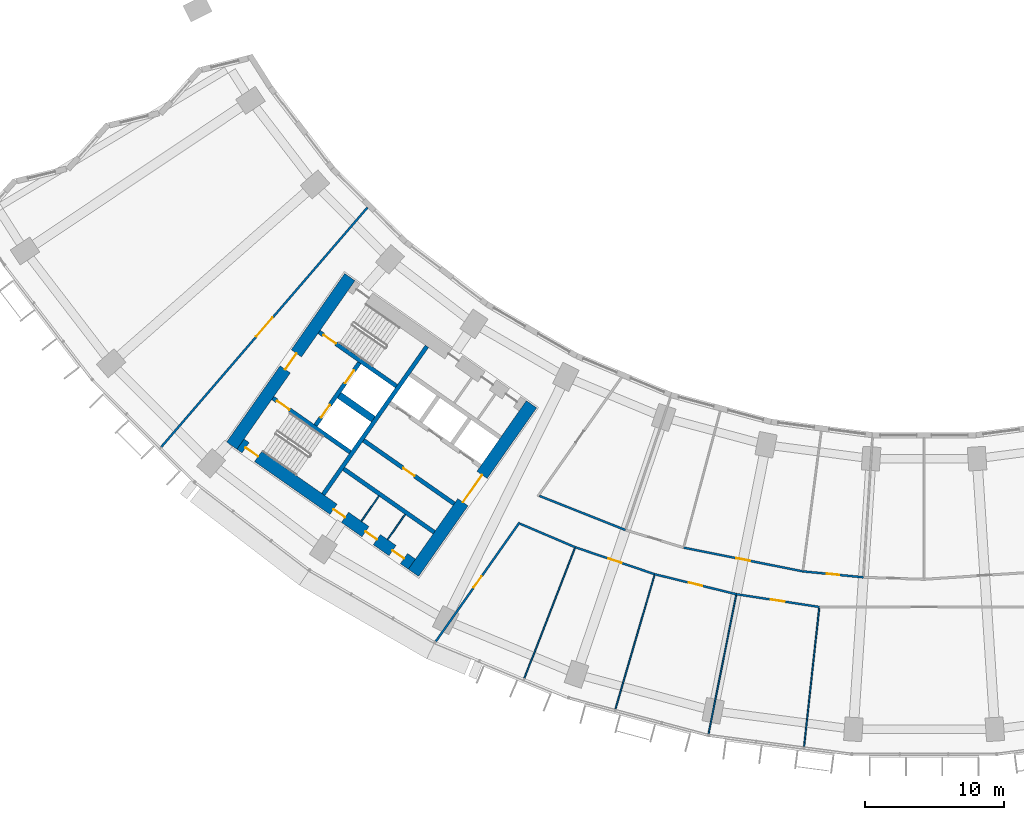
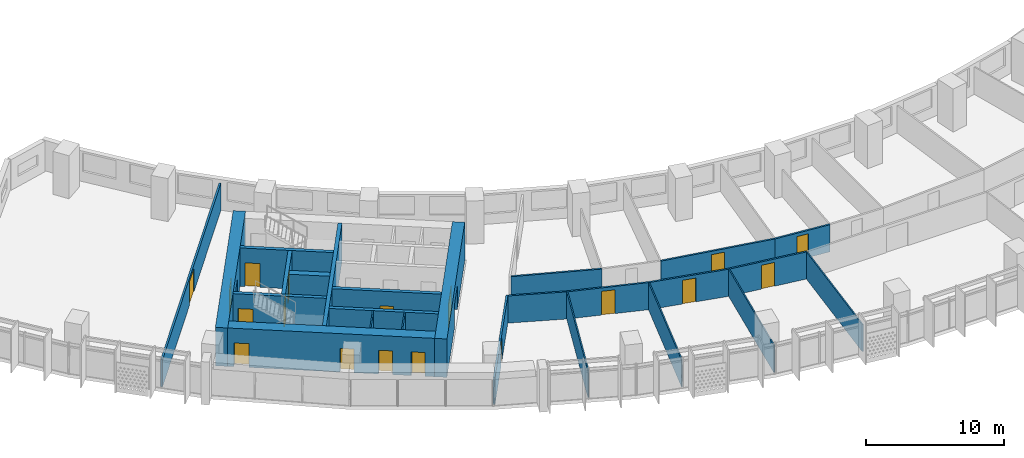
# One storey, part 3 of 31: 25 walls, 18 doors, 18 openings.
"""IFC4 building model written with IfcOpenShell, lengths in metres."""

import ifcopenshell
import ifcopenshell.guid

model = None  # the IFC model being written
_history = None  # IfcOwnerHistory: only IFC2X3 demands one
_inside = {}  # id of a spatial element -> (the spatial element, [elements in it])
_under = {}  # id of a project, library or spatial element -> (it, [spatial elements below it])
_declared = {}  # id of a project -> (the project, [libraries it declares])
_typed = {}  # id of a type object -> (the type object, [elements of that type])
_made_of = {}  # id of a material, layer set ... -> (it, [elements and type objects made of it])


def new_model(schema):
    """Start an empty IFC model of exactly this schema.

    Asked for "IFC4X3", IfcOpenShell would pick the latest addendum, in which some entities
    have other attributes; the version numbers below select the first issue.
    IFC2X3 requires an IfcOwnerHistory on every rooted entity: one is made here for all.
    """
    global model, _history
    if schema == "IFC4X3":
        model = ifcopenshell.file(schema_version=(4, 3, 0, 0))
    else:
        model = ifcopenshell.file(schema=schema)
    _inside.clear()
    _under.clear()
    _declared.clear()
    _typed.clear()
    _made_of.clear()
    _history = None
    if model.schema == "IFC2X3":
        org = make("IfcOrganization", Name="unknown")
        user = make(
            "IfcPersonAndOrganization",
            ThePerson=make("IfcPerson", FamilyName="unknown"),
            TheOrganization=org,
        )
        app = make(
            "IfcApplication",
            ApplicationDeveloper=org,
            Version="unknown",
            ApplicationFullName="unknown",
            ApplicationIdentifier="unknown",
        )
        _history = make(
            "IfcOwnerHistory",
            OwningUser=user,
            OwningApplication=app,
            ChangeAction="ADDED",
            CreationDate=0,
        )
    return model


def make(cls, **values):
    """One entity of the class cls with the attributes given. An attribute that is None is left unset."""
    return model.create_entity(
        cls, **{name: value for name, value in values.items() if value is not None}
    )


def rooted(cls, **values):
    """An entity with a GlobalId (a new one), such as an element, a storey or a relation."""
    return make(cls, GlobalId=ifcopenshell.guid.new(), OwnerHistory=_history, **values)


def si_unit(unit_type, name, prefix=None):
    """IfcSIUnit, for example si_unit("LENGTHUNIT", "METRE", prefix="MILLI")."""
    return make("IfcSIUnit", UnitType=unit_type, Prefix=prefix, Name=name)


def assignment(units):
    """IfcUnitAssignment: the units of a project."""
    return None if units is None else make("IfcUnitAssignment", Units=units)


def point(xyz):
    """IfcCartesianPoint."""
    return None if xyz is None else make("IfcCartesianPoint", Coordinates=xyz)


def direction(xyz):
    """IfcDirection."""
    return None if xyz is None else make("IfcDirection", DirectionRatios=xyz)


def frame(location, z_axis=None, x_axis=None):
    """IfcAxis2Placement3D, a coordinate frame: its origin and axes. An axis left out is left unset."""
    return make(
        "IfcAxis2Placement3D",
        Location=point(location),
        Axis=direction(z_axis),
        RefDirection=direction(x_axis),
    )


def frame_2d(location, x_axis=None):
    """IfcAxis2Placement2D, a coordinate frame in the plane: its origin and x axis."""
    return make(
        "IfcAxis2Placement2D", Location=point(location), RefDirection=direction(x_axis)
    )


def origin():
    """The frame at (0, 0, 0) with its axes left unset."""
    return frame((0.0, 0.0, 0.0))


def place(relative_to, where):
    """IfcLocalPlacement: puts the frame where relative to a parent placement (None: the world)."""
    return make(
        "IfcLocalPlacement", PlacementRelTo=relative_to, RelativePlacement=where
    )


def context(
    kind, dimensions, precision=None, world=None, true_north=None, identifier=None
):
    """IfcGeometricRepresentationContext, for example the 3D "Model" context."""
    return make(
        "IfcGeometricRepresentationContext",
        ContextIdentifier=identifier,
        ContextType=kind,
        CoordinateSpaceDimension=dimensions,
        Precision=precision,
        WorldCoordinateSystem=world,
        TrueNorth=true_north,
    )


def subcontext(parent, identifier, kind, view, scale=None):
    """IfcGeometricRepresentationSubContext, for example "Body" below "Model"."""
    return make(
        "IfcGeometricRepresentationSubContext",
        ContextIdentifier=identifier,
        ContextType=kind,
        ParentContext=parent,
        TargetScale=scale,
        TargetView=view,
    )


def project(units=None, contexts=None):
    """IfcProject with its units and contexts."""
    return rooted(
        "IfcProject",
        Name="project",
        RepresentationContexts=contexts,
        UnitsInContext=assignment(units),
    )


def spatial(cls, under=None, at=None, **own):
    """A site, building, storey or space (cls), placed at a placement, below another one or the project."""
    s = rooted(cls, ObjectPlacement=at, **own)
    if under is not None:
        _under.setdefault(under.id(), (under, []))[1].append(s)
    return s


def profile(cls, at=None, kind="AREA", **sizes):
    """A parametric profile (cls). Its sizes go by their IFC names, for example OverallWidth=200.0."""
    return make(cls, ProfileType=kind, Position=at, **sizes)


def rectangle(**sizes):
    """IfcRectangleProfileDef."""
    return profile("IfcRectangleProfileDef", **sizes)


def extrude(swept, where, along, depth):
    """IfcExtrudedAreaSolid: the profile swept, set in the frame where, extruded along a direction by depth."""
    return make(
        "IfcExtrudedAreaSolid",
        SweptArea=swept,
        Position=where,
        ExtrudedDirection=direction(along),
        Depth=depth,
    )


def shape(context_of_items, identifier, shape_type, items):
    """IfcShapeRepresentation: the items that make up one representation, for example the "Body"."""
    return make(
        "IfcShapeRepresentation",
        ContextOfItems=context_of_items,
        RepresentationIdentifier=identifier,
        RepresentationType=shape_type,
        Items=items,
    )


def material(Name=None, Category=None):
    """IfcMaterial."""
    return make("IfcMaterial", Name=Name, Category=Category)


def layer(
    of_material, thickness, ventilated=None, Name=None, Category=None, Priority=None
):
    """IfcMaterialLayer: one layer of a wall or slab, of a material (None: an air gap)."""
    return make(
        "IfcMaterialLayer",
        Material=of_material,
        LayerThickness=thickness,
        IsVentilated=ventilated,
        Name=Name,
        Category=Category,
        Priority=Priority,
    )


def layer_set(layers, Name=None):
    """IfcMaterialLayerSet."""
    return make("IfcMaterialLayerSet", MaterialLayers=layers, LayerSetName=Name)


def made_of(thing, what):
    """Note that an element or type object is made of a material, layer set ...; save() writes the relation."""
    if what is not None:
        _made_of.setdefault(what.id(), (what, []))[1].append(thing)
    return thing


def type_object(cls, material=None, **own):
    """A type object (cls), such as IfcWallType, which elements share."""
    return made_of(rooted(cls, **own), material)


def element(
    cls,
    number,
    at=None,
    inside=None,
    cuts=None,
    type_object=None,
    material=None,
    context=None,
    identifier="Body",
    shape_type=None,
    held_by="IfcProductDefinitionShape",
    body=None,
    shapes=None,
    **own,
):
    """One element of the class cls, such as IfcWall. Its Tag is "e" and its number.

    at: its placement. inside: the storey or other place that contains it. cuts: it is an
    opening in that element (IfcRelVoidsElement). A single representation is given by context,
    identifier, shape_type and body (its items); several are given by shapes. held_by: the class
    of the entity that holds the representations. save() writes the other relations.
    """
    e = rooted(cls, Tag="e%d" % number, ObjectPlacement=at, **own)
    if body is not None:
        shapes = [shape(context, identifier, shape_type, body)]
    if shapes is not None:
        e.Representation = make(held_by, Representations=shapes)
    if inside is not None:
        _inside.setdefault(inside.id(), (inside, []))[1].append(e)
    if cuts is not None:
        rooted(
            "IfcRelVoidsElement", RelatingBuildingElement=cuts, RelatedOpeningElement=e
        )
    if type_object is not None:
        _typed.setdefault(type_object.id(), (type_object, []))[1].append(e)
    return made_of(e, material)


def fill(opening, filler):
    """IfcRelFillsElement: the door or window that sits in an opening."""
    return rooted(
        "IfcRelFillsElement",
        RelatingOpeningElement=opening,
        RelatedBuildingElement=filler,
    )


def aggregate(whole, parts):
    """IfcRelAggregates: a whole, such as a stair, and the parts it consists of."""
    return rooted("IfcRelAggregates", RelatingObject=whole, RelatedObjects=parts)


def save(model, path):
    """Write the relations noted so far, then the file.

    IfcRelAggregates (storeys below a building ...), IfcRelContainedInSpatialStructure (elements
    in a storey), IfcRelDefinesByType, IfcRelAssociatesMaterial and IfcRelDeclares: one each for
    every whole, place, type object, material and project.
    """
    for whole, parts in _under.values():
        aggregate(whole, parts)
    for where, things in _inside.values():
        rooted(
            "IfcRelContainedInSpatialStructure",
            RelatedElements=things,
            RelatingStructure=where,
        )
    for kind, things in _typed.values():
        rooted("IfcRelDefinesByType", RelatedObjects=things, RelatingType=kind)
    for what, things in _made_of.values():
        rooted("IfcRelAssociatesMaterial", RelatedObjects=things, RelatingMaterial=what)
    for by, libraries in _declared.values():
        rooted("IfcRelDeclares", RelatingContext=by, RelatedDefinitions=libraries)
    model.write(path)


model = new_model("IFC4")

# Units and contexts
model_context = context("Model", 3, precision=1e-05, world=origin(), true_north=direction((0.0, 1.0)))
body_context = subcontext(model_context, "Body", "Model", "MODEL_VIEW")
ifc_project = project(units=[si_unit("LENGTHUNIT", "METRE"), si_unit("AREAUNIT", "SQUARE_METRE"), si_unit("VOLUMEUNIT", "CUBIC_METRE"), si_unit("PLANEANGLEUNIT", "RADIAN"), si_unit("MASSUNIT", "GRAM", prefix="KILO")], contexts=[model_context])

# Site, building, storey
site_placement = place(None, origin())
site = spatial("IfcSite", under=ifc_project, at=site_placement, CompositionType="ELEMENT")
building_placement = place(site_placement, origin())
building = spatial("IfcBuilding", under=site, at=building_placement, Name="Qamariyya Broadcast Tower", CompositionType="ELEMENT")
storey_placement = place(building_placement, frame((0.0, 0.0, 86.10009765625)))
storey = spatial("IfcBuildingStorey", under=building, at=storey_placement, Name="L18", CompositionType="ELEMENT", Elevation=86.10009765625)

# Wall, opening, door
ifc_material_1 = material(Name="Concrete C70/85", Category="concrete")
ifc_layer_1 = layer(ifc_material_1, 0.89990234375)
ifc_layer_set_1 = layer_set([ifc_layer_1], Name="Core wall 900 mm Concrete C70/85")
wall_type_1 = type_object("IfcWallType", Name="Core wall 900 mm Concrete C70/85", PredefinedType="SHEAR", material=ifc_layer_set_1)
wall_1_placement = place(storey_placement, frame((-36.716796875, -66.3369140625, 0.0), z_axis=(0.0, 0.0, 1.0), x_axis=(0.573577477574, 0.819151315216, 0.0)))
wall_1 = element("IfcWall", 1, at=wall_1_placement, inside=storey, type_object=wall_type_1, Name="k-W-L18-WA", PredefinedType="SHEAR", context=body_context, shape_type="SweptSolid", body=[
    extrude(rectangle(XDim=14.800048828125, YDim=0.89990234375, at=frame_2d((7.39990234375, 0.0))), origin(), (0.0, 0.0, 1.0), 3.39990234375),
])
opening_1_placement = place(wall_1_placement, frame((6.199951171875, 0.0, 0.0)))
opening_1 = element("IfcOpeningElement", 2, at=opening_1_placement, cuts=wall_1, Name="Opening KD3-W1", PredefinedType="OPENING", context=body_context, shape_type="SweptSolid", body=[
    extrude(rectangle(XDim=2.39990234375, YDim=2.10009765625, at=frame_2d((1.199951171875, 1.050048828125))), frame((0.0, 0.4599609375, 0.0), z_axis=(0.0, -1.0, 0.0), x_axis=(1.0, 0.0, 0.0)), (0.0, 0.0, 1.0), 0.919921875),
])
ifc_material_2 = material(Name="Steel fire-resisting door leaf", Category="steel")
door_type_1 = type_object("IfcDoorType", Name="Lift lobby door KD3", OperationType="DOUBLE_DOOR_SINGLE_SWING", PredefinedType="DOOR", material=ifc_material_2)
door_1_placement = place(opening_1_placement, origin())
door_1 = element("IfcDoor", 3, at=door_1_placement, inside=storey, type_object=door_type_1, Name="k-W-L18-WA-D1", OperationType="DOUBLE_DOOR_SINGLE_SWING", OverallHeight=2.10009765625, OverallWidth=2.39990234375, PredefinedType="DOOR", context=body_context, shape_type="SweptSolid", body=[
    extrude(rectangle(XDim=2.39990234375, YDim=2.10009765625, at=frame_2d((1.199951171875, 1.050048828125))), frame((0.0, 0.02490234375, 0.0), z_axis=(0.0, -1.0, 0.0), x_axis=(1.0, 0.0, 0.0)), (0.0, 0.0, 1.0), 0.050048828125),
])
fill(opening_1, door_1)

wall_2_placement = place(storey_placement, frame((-49.778564453125, -57.191162109375, 0.0), z_axis=(0.0, 0.0, 1.0), x_axis=(0.573577477574, 0.819151315216, 0.0)))
wall_2 = element("IfcWall", 4, at=wall_2_placement, inside=storey, type_object=wall_type_1, Name="k-W-L18-WH", PredefinedType="SHEAR", context=body_context, shape_type="SweptSolid", body=[
    extrude(rectangle(XDim=14.800048828125, YDim=0.89990234375, at=frame_2d((7.39990234375, 0.0))), origin(), (0.0, 0.0, 1.0), 3.39990234375),
])
opening_2_placement = place(wall_2_placement, frame((6.699951171875, 0.0, 0.0)))
opening_2 = element("IfcOpeningElement", 5, at=opening_2_placement, cuts=wall_2, Name="Opening KD2-W1", PredefinedType="OPENING", context=body_context, shape_type="SweptSolid", body=[
    extrude(rectangle(XDim=1.39990234375, YDim=2.10009765625, at=frame_2d((0.699951171875, 1.050048828125))), frame((0.0, 0.4599609375, 0.0), z_axis=(0.0, -1.0, 0.0), x_axis=(1.0, 0.0, 0.0)), (0.0, 0.0, 1.0), 0.919921875),
])
door_type_2 = type_object("IfcDoorType", Name="Fire-fighting lobby door KD2", OperationType="DOUBLE_DOOR_SINGLE_SWING", PredefinedType="DOOR", material=ifc_material_2)
door_2_placement = place(opening_2_placement, origin())
door_2 = element("IfcDoor", 6, at=door_2_placement, inside=storey, type_object=door_type_2, Name="k-W-L18-WH-D14", OperationType="DOUBLE_DOOR_SINGLE_SWING", OverallHeight=2.10009765625, OverallWidth=1.39990234375, PredefinedType="DOOR", context=body_context, shape_type="SweptSolid", body=[
    extrude(rectangle(XDim=1.39990234375, YDim=2.10009765625, at=frame_2d((0.699951171875, 1.050048828125))), frame((0.0, 0.02490234375, 0.0), z_axis=(0.0, -1.0, 0.0), x_axis=(1.0, 0.0, 0.0)), (0.0, 0.0, 1.0), 0.050048828125),
])
fill(opening_2, door_2)

# Wall, openings, doors
wall_3_placement = place(storey_placement, frame((-36.827392578125, -65.710205078125, 0.0), z_axis=(0.0, 0.0, 1.0), x_axis=(-0.819153391756, 0.573574511963, 0.0)))
wall_3 = element("IfcWall", 7, at=wall_3_placement, inside=storey, type_object=wall_type_1, Name="k-W-L18-WO", PredefinedType="SHEAR", context=body_context, shape_type="SweptSolid", body=[
    extrude(rectangle(XDim=15.04541015625, YDim=0.89990234375, at=frame_2d((7.522705078125, 0.0))), origin(), (0.0, 0.0, 1.0), 3.39990234375),
])
opening_3_placement = place(wall_3_placement, frame((0.699951171875, 0.0, 0.0)))
opening_3 = element("IfcOpeningElement", 8, at=opening_3_placement, cuts=wall_3, Name="Opening KD6-W3", PredefinedType="OPENING", context=body_context, shape_type="SweptSolid", body=[
    extrude(rectangle(XDim=1.0, YDim=2.10009765625, at=frame_2d((0.5, 1.050048828125))), frame((0.0, 0.4599609375, 0.0), z_axis=(0.0, -1.0, 0.0), x_axis=(1.0, 0.0, 0.0)), (0.0, 0.0, 1.0), 0.919921875),
])
opening_4_placement = place(wall_3_placement, frame((3.074951171875, 0.0, 0.0)))
opening_4 = element("IfcOpeningElement", 9, at=opening_4_placement, cuts=wall_3, Name="Opening KD4-W1", PredefinedType="OPENING", context=body_context, shape_type="SweptSolid", body=[
    extrude(rectangle(XDim=1.0, YDim=2.10009765625, at=frame_2d((0.5, 1.050048828125))), frame((0.0, 0.4599609375, 0.0), z_axis=(0.0, -1.0, 0.0), x_axis=(1.0, 0.0, 0.0)), (0.0, 0.0, 1.0), 0.919921875),
])
opening_5_placement = place(wall_3_placement, frame((5.875, 0.0, 0.0)))
opening_5 = element("IfcOpeningElement", 10, at=opening_5_placement, cuts=wall_3, Name="Opening KD4-W2", PredefinedType="OPENING", context=body_context, shape_type="SweptSolid", body=[
    extrude(rectangle(XDim=1.0, YDim=2.10009765625, at=frame_2d((0.5, 1.050048828125))), frame((0.0, 0.4599609375, 0.0), z_axis=(0.0, -1.0, 0.0), x_axis=(1.0, 0.0, 0.0)), (0.0, 0.0, 1.0), 0.919921875),
])
opening_6_placement = place(wall_3_placement, frame((13.495361328125, 0.0, 0.0)))
opening_6 = element("IfcOpeningElement", 11, at=opening_6_placement, cuts=wall_3, Name="Opening KD1-W3", PredefinedType="OPENING", context=body_context, shape_type="SweptSolid", body=[
    extrude(rectangle(XDim=1.10009765625, YDim=2.10009765625, at=frame_2d((0.550048828125, 1.050048828125))), frame((0.0, 0.4599609375, 0.0), z_axis=(0.0, -1.0, 0.0), x_axis=(1.0, 0.0, 0.0)), (0.0, 0.0, 1.0), 0.919921875),
])
door_type_3 = type_object("IfcDoorType", Name="Core room door KD6", OperationType="SINGLE_SWING_LEFT", PredefinedType="DOOR", material=ifc_material_2)
door_3_placement = place(opening_3_placement, origin())
door_3 = element("IfcDoor", 12, at=door_3_placement, inside=storey, type_object=door_type_3, Name="k-W-L18-WO-D9", OperationType="SINGLE_SWING_RIGHT", OverallHeight=2.10009765625, OverallWidth=1.0, PredefinedType="DOOR", context=body_context, shape_type="SweptSolid", body=[
    extrude(rectangle(XDim=1.0, YDim=2.10009765625, at=frame_2d((0.5, 1.050048828125))), frame((0.0, 0.02490234375, 0.0), z_axis=(0.0, -1.0, 0.0), x_axis=(1.0, 0.0, 0.0)), (0.0, 0.0, 1.0), 0.050048828125),
])
fill(opening_3, door_3)
door_type_4 = type_object("IfcDoorType", Name="Riser and plant door KD4", OperationType="SINGLE_SWING_LEFT", PredefinedType="DOOR", material=ifc_material_2)
door_4_placement = place(opening_4_placement, origin())
door_4 = element("IfcDoor", 13, at=door_4_placement, inside=storey, type_object=door_type_4, Name="k-W-L18-WO-D10", OperationType="SINGLE_SWING_LEFT", OverallHeight=2.10009765625, OverallWidth=1.0, PredefinedType="DOOR", context=body_context, shape_type="SweptSolid", body=[
    extrude(rectangle(XDim=1.0, YDim=2.10009765625, at=frame_2d((0.5, 1.050048828125))), frame((0.0, 0.02490234375, 0.0), z_axis=(0.0, -1.0, 0.0), x_axis=(1.0, 0.0, 0.0)), (0.0, 0.0, 1.0), 0.050048828125),
])
fill(opening_4, door_4)
door_5_placement = place(opening_5_placement, origin())
door_5 = element("IfcDoor", 14, at=door_5_placement, inside=storey, type_object=door_type_4, Name="k-W-L18-WO-D11", OperationType="SINGLE_SWING_RIGHT", OverallHeight=2.10009765625, OverallWidth=1.0, PredefinedType="DOOR", context=body_context, shape_type="SweptSolid", body=[
    extrude(rectangle(XDim=1.0, YDim=2.10009765625, at=frame_2d((0.5, 1.050048828125))), frame((0.0, 0.02490234375, 0.0), z_axis=(0.0, -1.0, 0.0), x_axis=(1.0, 0.0, 0.0)), (0.0, 0.0, 1.0), 0.050048828125),
])
fill(opening_5, door_5)
door_type_5 = type_object("IfcDoorType", Name="Stair door KD1", OperationType="SINGLE_SWING_LEFT", PredefinedType="DOOR", material=ifc_material_2)
door_6_placement = place(opening_6_placement, origin())
door_6 = element("IfcDoor", 15, at=door_6_placement, inside=storey, type_object=door_type_5, Name="k-W-L18-WO-D17", OperationType="SINGLE_SWING_LEFT", OverallHeight=2.10009765625, OverallWidth=1.10009765625, PredefinedType="DOOR", context=body_context, shape_type="SweptSolid", body=[
    extrude(rectangle(XDim=1.10009765625, YDim=2.10009765625, at=frame_2d((0.550048828125, 1.050048828125))), frame((0.0, 0.02490234375, 0.0), z_axis=(0.0, -1.0, 0.0), x_axis=(1.0, 0.0, 0.0)), (0.0, 0.0, 1.0), 0.050048828125),
])
fill(opening_6, door_6)

# Wall, opening, door
ifc_material_3 = material(Name="Gypsum board partition")
ifc_layer_2 = layer(ifc_material_3, 0.14990234375)
ifc_layer_set_2 = layer_set([ifc_layer_2], Name="Corridor partition 150 EI 60")
wall_type_2 = type_object("IfcWallType", Name="Corridor partition 150 EI 60", PredefinedType="PARTITIONING", material=ifc_layer_set_2)
wall_4_placement = place(storey_placement, frame((-54.842041015625, -57.27685546875, 0.0), z_axis=(0.0, 0.0, 1.0), x_axis=(0.652471531746, 0.757813235739, 0.0)))
wall_4 = element("IfcWall", 16, at=wall_4_placement, inside=storey, type_object=wall_type_2, Name="Partition L18-001", PredefinedType="PARTITIONING", context=body_context, shape_type="SweptSolid", body=[
    extrude(rectangle(XDim=22.71484375, YDim=0.14990234375, at=frame_2d((11.357421875, 0.0))), origin(), (0.0, 0.0, 1.0), 2.39990234375),
])
opening_7_placement = place(wall_4_placement, frame((10.45751953125, 0.0, 0.0)))
opening_7 = element("IfcOpeningElement", 17, at=opening_7_placement, cuts=wall_4, Name="Opening L18-D17", PredefinedType="OPENING", context=body_context, shape_type="SweptSolid", body=[
    extrude(rectangle(XDim=1.800048828125, YDim=2.10009765625, at=frame_2d((0.89990234375, 1.050048828125))), frame((0.0, 0.0849609375, 0.0), z_axis=(0.0, -1.0, 0.0), x_axis=(1.0, 0.0, 0.0)), (0.0, 0.0, 1.0), 0.169921875),
])
ifc_material_4 = material(Name="Timber fire door leaf", Category="wood")
door_type_6 = type_object("IfcDoorType", Name="Double fire door 1800 x 2100 FD60", OperationType="NOTDEFINED", PredefinedType="DOOR", material=ifc_material_4)
door_7_placement = place(opening_7_placement, origin())
door_7 = element("IfcDoor", 18, at=door_7_placement, inside=storey, type_object=door_type_6, Name="Door L18-D17", OperationType="DOUBLE_DOOR_SINGLE_SWING", OverallHeight=2.10009765625, OverallWidth=1.800048828125, PredefinedType="DOOR", context=body_context, shape_type="SweptSolid", body=[
    extrude(rectangle(XDim=1.800048828125, YDim=2.10009765625, at=frame_2d((0.89990234375, 1.050048828125))), frame((0.0, 0.02490234375, 0.0), z_axis=(0.0, -1.0, 0.0), x_axis=(1.0, 0.0, 0.0)), (0.0, 0.0, 1.0), 0.050048828125),
])
fill(opening_7, door_7)

wall_5_placement = place(storey_placement, frame((-29.087890625, -62.708251953125, 0.0), z_axis=(0.0, 0.0, 1.0), x_axis=(-0.575411972256, -0.817863718589, 0.0)))
wall_5 = element("IfcWall", 19, at=wall_5_placement, inside=storey, type_object=wall_type_2, Name="Partition L18-002", PredefinedType="PARTITIONING", context=body_context, shape_type="SweptSolid", body=[
    extrude(rectangle(XDim=10.471435546875, YDim=0.14990234375, at=frame_2d((5.23583984375, 0.0))), origin(), (0.0, 0.0, 1.0), 2.39990234375),
])
opening_8_placement = place(wall_5_placement, frame((4.735595703125, 0.0, 0.0)))
opening_8 = element("IfcOpeningElement", 20, at=opening_8_placement, cuts=wall_5, Name="Opening L18-D01", PredefinedType="OPENING", context=body_context, shape_type="SweptSolid", body=[
    extrude(rectangle(XDim=1.0, YDim=2.10009765625, at=frame_2d((0.5, 1.050048828125))), frame((0.0, 0.0849609375, 0.0), z_axis=(0.0, -1.0, 0.0), x_axis=(1.0, 0.0, 0.0)), (0.0, 0.0, 1.0), 0.169921875),
])
door_type_7 = type_object("IfcDoorType", Name="Fire door 1000 x 2100 FD60", OperationType="NOTDEFINED", PredefinedType="DOOR", material=ifc_material_4)
door_8_placement = place(opening_8_placement, origin())
door_8 = element("IfcDoor", 21, at=door_8_placement, inside=storey, type_object=door_type_7, Name="Door L18-D01", OperationType="SINGLE_SWING_RIGHT", OverallHeight=2.10009765625, OverallWidth=1.0, PredefinedType="DOOR", context=body_context, shape_type="SweptSolid", body=[
    extrude(rectangle(XDim=1.0, YDim=2.10009765625, at=frame_2d((0.5, 1.050048828125))), frame((0.0, 0.02490234375, 0.0), z_axis=(0.0, -1.0, 0.0), x_axis=(1.0, 0.0, 0.0)), (0.0, 0.0, 1.0), 0.050048828125),
])
fill(opening_8, door_8)

# Walls
wall_6_placement = place(storey_placement, frame((-29.06201171875, -62.799072265625, 0.0), z_axis=(0.0, 0.0, 1.0), x_axis=(0.920023602502, -0.391862949052, 0.0)))
element("IfcWall", 22, at=wall_6_placement, inside=storey, type_object=wall_type_2, Name="Partition L18-003", PredefinedType="PARTITIONING", context=body_context, shape_type="SweptSolid", body=[
    extrude(rectangle(XDim=4.329345703125, YDim=0.14990234375, at=frame_2d((2.16455078125, 0.0))), origin(), (0.0, 0.0, 1.0), 2.39990234375),
])
wall_7_placement = place(storey_placement, frame((-27.6572265625, -60.801513671875, 0.0), z_axis=(0.0, 0.0, 1.0), x_axis=(0.929543215203, -0.368713182663, 0.0)))
element("IfcWall", 23, at=wall_7_placement, inside=storey, type_object=wall_type_2, Name="Partition L18-005", PredefinedType="PARTITIONING", context=body_context, shape_type="SweptSolid", body=[
    extrude(rectangle(XDim=6.65380859375, YDim=0.14990234375, at=frame_2d((3.326904296875, 0.0))), origin(), (0.0, 0.0, 1.0), 2.39990234375),
])

# Wall, opening, door
wall_8_placement = place(storey_placement, frame((-19.365966796875, -66.434814453125, 0.0), z_axis=(0.0, 0.0, 1.0), x_axis=(-0.94693295825, 0.321431131939, 0.0)))
wall_8 = element("IfcWall", 24, at=wall_8_placement, inside=storey, type_object=wall_type_2, Name="Partition L18-006", PredefinedType="PARTITIONING", context=body_context, shape_type="SweptSolid", body=[
    extrude(rectangle(XDim=6.032958984375, YDim=0.14990234375, at=frame_2d((3.0166015625, 0.0))), origin(), (0.0, 0.0, 1.0), 2.39990234375),
])
opening_9_placement = place(wall_8_placement, frame((2.5166015625, 0.0, 0.0)))
opening_9 = element("IfcOpeningElement", 25, at=opening_9_placement, cuts=wall_8, Name="Opening L18-D02", PredefinedType="OPENING", context=body_context, shape_type="SweptSolid", body=[
    extrude(rectangle(XDim=1.0, YDim=2.10009765625, at=frame_2d((0.5, 1.050048828125))), frame((0.0, 0.0849609375, 0.0), z_axis=(0.0, -1.0, 0.0), x_axis=(1.0, 0.0, 0.0)), (0.0, 0.0, 1.0), 0.169921875),
])
door_9_placement = place(opening_9_placement, origin())
door_9 = element("IfcDoor", 26, at=door_9_placement, inside=storey, type_object=door_type_7, Name="Door L18-D02", OperationType="SINGLE_SWING_RIGHT", OverallHeight=2.10009765625, OverallWidth=1.0, PredefinedType="DOOR", context=body_context, shape_type="SweptSolid", body=[
    extrude(rectangle(XDim=1.0, YDim=2.10009765625, at=frame_2d((0.5, 1.050048828125))), frame((0.0, 0.02490234375, 0.0), z_axis=(0.0, -1.0, 0.0), x_axis=(1.0, 0.0, 0.0)), (0.0, 0.0, 1.0), 0.050048828125),
])
fill(opening_9, door_9)

wall_9_placement = place(storey_placement, frame((-13.500244140625, -67.870361328125, 0.0), z_axis=(0.0, 0.0, 1.0), x_axis=(-0.971333900191, 0.237719276331, 0.0)))
wall_9 = element("IfcWall", 27, at=wall_9_placement, inside=storey, type_object=wall_type_2, Name="Partition L18-010", PredefinedType="PARTITIONING", context=body_context, shape_type="SweptSolid", body=[
    extrude(rectangle(XDim=6.038818359375, YDim=0.14990234375, at=frame_2d((3.01953125, 0.0))), origin(), (0.0, 0.0, 1.0), 2.39990234375),
])
opening_10_placement = place(wall_9_placement, frame((2.51953125, 0.0, 0.0)))
opening_10 = element("IfcOpeningElement", 28, at=opening_10_placement, cuts=wall_9, Name="Opening L18-D03", PredefinedType="OPENING", context=body_context, shape_type="SweptSolid", body=[
    extrude(rectangle(XDim=1.0, YDim=2.10009765625, at=frame_2d((0.5, 1.050048828125))), frame((0.0, 0.0849609375, 0.0), z_axis=(0.0, -1.0, 0.0), x_axis=(1.0, 0.0, 0.0)), (0.0, 0.0, 1.0), 0.169921875),
])
door_10_placement = place(opening_10_placement, origin())
door_10 = element("IfcDoor", 29, at=door_10_placement, inside=storey, type_object=door_type_7, Name="Door L18-D03", OperationType="SINGLE_SWING_RIGHT", OverallHeight=2.10009765625, OverallWidth=1.0, PredefinedType="DOOR", context=body_context, shape_type="SweptSolid", body=[
    extrude(rectangle(XDim=1.0, YDim=2.10009765625, at=frame_2d((0.5, 1.050048828125))), frame((0.0, 0.02490234375, 0.0), z_axis=(0.0, -1.0, 0.0), x_axis=(1.0, 0.0, 0.0)), (0.0, 0.0, 1.0), 0.050048828125),
])
fill(opening_10, door_10)

wall_10_placement = place(storey_placement, frame((-17.2890625, -64.52392578125, 0.0), z_axis=(0.0, 0.0, 1.0), x_axis=(0.980786466832, -0.195084357342, 0.0)))
wall_10 = element("IfcWall", 30, at=wall_10_placement, inside=storey, type_object=wall_type_2, Name="Partition L18-012", PredefinedType="PARTITIONING", context=body_context, shape_type="SweptSolid", body=[
    extrude(rectangle(XDim=8.73779296875, YDim=0.14990234375, at=frame_2d((4.368896484375, 0.0))), origin(), (0.0, 0.0, 1.0), 2.39990234375),
])
opening_11_placement = place(wall_10_placement, frame((3.868896484375, 0.0, 0.0)))
opening_11 = element("IfcOpeningElement", 31, at=opening_11_placement, cuts=wall_10, Name="Opening L18-D11", PredefinedType="OPENING", context=body_context, shape_type="SweptSolid", body=[
    extrude(rectangle(XDim=1.0, YDim=2.10009765625, at=frame_2d((0.5, 1.050048828125))), frame((0.0, 0.0849609375, 0.0), z_axis=(0.0, -1.0, 0.0), x_axis=(1.0, 0.0, 0.0)), (0.0, 0.0, 1.0), 0.169921875),
])
door_11_placement = place(opening_11_placement, origin())
door_11 = element("IfcDoor", 32, at=door_11_placement, inside=storey, type_object=door_type_7, Name="Door L18-D11", OperationType="SINGLE_SWING_RIGHT", OverallHeight=2.10009765625, OverallWidth=1.0, PredefinedType="DOOR", context=body_context, shape_type="SweptSolid", body=[
    extrude(rectangle(XDim=1.0, YDim=2.10009765625, at=frame_2d((0.5, 1.050048828125))), frame((0.0, 0.02490234375, 0.0), z_axis=(0.0, -1.0, 0.0), x_axis=(1.0, 0.0, 0.0)), (0.0, 0.0, 1.0), 0.050048828125),
])
fill(opening_11, door_11)

wall_11_placement = place(storey_placement, frame((-7.53173828125, -68.788818359375, 0.0), z_axis=(0.0, 0.0, 1.0), x_axis=(-0.98836608834, 0.152093640297, 0.0)))
wall_11 = element("IfcWall", 33, at=wall_11_placement, inside=storey, type_object=wall_type_2, Name="Partition L18-015", PredefinedType="PARTITIONING", context=body_context, shape_type="SweptSolid", body=[
    extrude(rectangle(XDim=6.038818359375, YDim=0.14990234375, at=frame_2d((3.01953125, 0.0))), origin(), (0.0, 0.0, 1.0), 2.39990234375),
])
opening_12_placement = place(wall_11_placement, frame((2.51953125, 0.0, 0.0)))
opening_12 = element("IfcOpeningElement", 34, at=opening_12_placement, cuts=wall_11, Name="Opening L18-D04", PredefinedType="OPENING", context=body_context, shape_type="SweptSolid", body=[
    extrude(rectangle(XDim=1.0, YDim=2.10009765625, at=frame_2d((0.5, 1.050048828125))), frame((0.0, 0.0849609375, 0.0), z_axis=(0.0, -1.0, 0.0), x_axis=(1.0, 0.0, 0.0)), (0.0, 0.0, 1.0), 0.169921875),
])
door_12_placement = place(opening_12_placement, origin())
door_12 = element("IfcDoor", 35, at=door_12_placement, inside=storey, type_object=door_type_7, Name="Door L18-D04", OperationType="SINGLE_SWING_RIGHT", OverallHeight=2.10009765625, OverallWidth=1.0, PredefinedType="DOOR", context=body_context, shape_type="SweptSolid", body=[
    extrude(rectangle(XDim=1.0, YDim=2.10009765625, at=frame_2d((0.5, 1.050048828125))), frame((0.0, 0.02490234375, 0.0), z_axis=(0.0, -1.0, 0.0), x_axis=(1.0, 0.0, 0.0)), (0.0, 0.0, 1.0), 0.050048828125),
])
fill(opening_12, door_12)

wall_12_placement = place(storey_placement, frame((-8.71923828125, -66.228515625, 0.0), z_axis=(0.0, 0.0, 1.0), x_axis=(0.995184826457, -0.098016127192, 0.0)))
wall_12 = element("IfcWall", 36, at=wall_12_placement, inside=storey, type_object=wall_type_2, Name="Partition L18-016", PredefinedType="PARTITIONING", context=body_context, shape_type="SweptSolid", body=[
    extrude(rectangle(XDim=4.371337890625, YDim=0.14990234375, at=frame_2d((2.185546875, 0.0))), origin(), (0.0, 0.0, 1.0), 2.39990234375),
])
opening_13_placement = place(wall_12_placement, frame((1.735595703125, 0.0, 0.0)))
opening_13 = element("IfcOpeningElement", 37, at=opening_13_placement, cuts=wall_12, Name="Opening L18-D12", PredefinedType="OPENING", context=body_context, shape_type="SweptSolid", body=[
    extrude(rectangle(XDim=0.89990234375, YDim=2.10009765625, at=frame_2d((0.449951171875, 1.050048828125))), frame((0.0, 0.0849609375, 0.0), z_axis=(0.0, -1.0, 0.0), x_axis=(1.0, 0.0, 0.0)), (0.0, 0.0, 1.0), 0.169921875),
])
door_type_8 = type_object("IfcDoorType", Name="Fire door 900 x 2100 FD60", OperationType="NOTDEFINED", PredefinedType="DOOR", material=ifc_material_4)
door_13_placement = place(opening_13_placement, origin())
door_13 = element("IfcDoor", 38, at=door_13_placement, inside=storey, type_object=door_type_8, Name="Door L18-D12", OperationType="SINGLE_SWING_RIGHT", OverallHeight=2.10009765625, OverallWidth=0.89990234375, PredefinedType="DOOR", context=body_context, shape_type="SweptSolid", body=[
    extrude(rectangle(XDim=0.89990234375, YDim=2.10009765625, at=frame_2d((0.449951171875, 1.050048828125))), frame((0.0, 0.02490234375, 0.0), z_axis=(0.0, -1.0, 0.0), x_axis=(1.0, 0.0, 0.0)), (0.0, 0.0, 1.0), 0.050048828125),
])
fill(opening_13, door_13)

# Walls
ifc_material_5 = material(Name="Concrete C60/75", Category="concrete")
ifc_layer_3 = layer(ifc_material_5, 0.5)
ifc_layer_set_3 = layer_set([ifc_layer_3], Name="Fire-fighting lobby divider wall 500 mm Concrete C60/75")
wall_type_3 = type_object("IfcWallType", Name="Fire-fighting lobby divider wall 500 mm Concrete C60/75", PredefinedType="SOLIDWALL", material=ifc_layer_set_3)
wall_13_placement = place(storey_placement, frame((-39.59912109375, -55.28515625, 0.0), z_axis=(0.0, 0.0, 1.0), x_axis=(-0.819136323161, 0.573598887793, 0.0)))
element("IfcWall", 39, at=wall_13_placement, inside=storey, type_object=wall_type_3, Name="k-W-L18-FD", PredefinedType="SOLIDWALL", context=body_context, shape_type="SweptSolid", body=[
    extrude(rectangle(XDim=2.999755859375, YDim=0.5, at=frame_2d((1.5, 0.0))), origin(), (0.0, 0.0, 1.0), 3.39990234375),
])
ifc_layer_4 = layer(ifc_material_5, 0.300048828125)
ifc_layer_set_4 = layer_set([ifc_layer_4], Name="Lift shaft wall 300 mm Concrete C60/75")
wall_type_4 = type_object("IfcWallType", Name="Lift shaft wall 300 mm Concrete C60/75", PredefinedType="SOLIDWALL", material=ifc_layer_set_4)
wall_14_placement = place(storey_placement, frame((-43.204345703125, -60.69580078125, 0.0), z_axis=(0.0, 0.0, 1.0), x_axis=(0.573571992966, 0.819155155563, 0.0)))
element("IfcWall", 40, at=wall_14_placement, inside=storey, type_object=wall_type_4, Name="k-W-L18-WL", PredefinedType="SOLIDWALL", context=body_context, shape_type="SweptSolid", body=[
    extrude(rectangle(XDim=13.000244140625, YDim=0.300048828125, at=frame_2d((6.5, 0.0))), origin(), (0.0, 0.0, 1.0), 3.39990234375),
])

# Wall, opening, door
wall_15_placement = place(storey_placement, frame((-33.787353515625, -61.368896484375, 0.0), z_axis=(0.0, 0.0, 1.0), x_axis=(-0.819152564888, 0.573575692858, 0.0)))
wall_15 = element("IfcWall", 41, at=wall_15_placement, inside=storey, type_object=wall_type_4, Name="k-W-L18-SF0", PredefinedType="SOLIDWALL", context=body_context, shape_type="SweptSolid", body=[
    extrude(rectangle(XDim=7.9501953125, YDim=0.300048828125, at=frame_2d((3.97509765625, 0.0))), origin(), (0.0, 0.0, 1.0), 3.39990234375),
])
opening_14_placement = place(wall_15_placement, frame((3.47509765625, 0.0, 0.0)))
opening_14 = element("IfcOpeningElement", 42, at=opening_14_placement, cuts=wall_15, Name="Opening KD6-W1", PredefinedType="OPENING", context=body_context, shape_type="SweptSolid", body=[
    extrude(rectangle(XDim=1.0, YDim=2.10009765625, at=frame_2d((0.5, 1.050048828125))), frame((0.0, 0.159912109375, 0.0), z_axis=(0.0, -1.0, 0.0), x_axis=(1.0, 0.0, 0.0)), (0.0, 0.0, 1.0), 0.320068359375),
])
door_14_placement = place(opening_14_placement, origin())
door_14 = element("IfcDoor", 43, at=door_14_placement, inside=storey, type_object=door_type_3, Name="k-W-L18-SF0-D5", OperationType="SINGLE_SWING_RIGHT", OverallHeight=2.10009765625, OverallWidth=1.0, PredefinedType="DOOR", context=body_context, shape_type="SweptSolid", body=[
    extrude(rectangle(XDim=1.0, YDim=2.10009765625, at=frame_2d((0.5, 1.050048828125))), frame((0.0, 0.02490234375, 0.0), z_axis=(0.0, -1.0, 0.0), x_axis=(1.0, 0.0, 0.0)), (0.0, 0.0, 1.0), 0.050048828125),
])
fill(opening_14, door_14)

# Wall
wall_16_placement = place(storey_placement, frame((-35.22119140625, -63.41650390625, 0.0), z_axis=(0.0, 0.0, 1.0), x_axis=(-0.819166993208, 0.573555086491, 0.0)))
element("IfcWall", 44, at=wall_16_placement, inside=storey, type_object=wall_type_4, Name="k-W-L18-SB0", PredefinedType="SOLIDWALL", context=body_context, shape_type="SweptSolid", body=[
    extrude(rectangle(XDim=7.9501953125, YDim=0.300048828125, at=frame_2d((3.97509765625, 0.0))), origin(), (0.0, 0.0, 1.0), 3.39990234375),
])

# Wall, opening, door
wall_17_placement = place(storey_placement, frame((-37.935546875, -52.90966796875, 0.0), z_axis=(0.0, 0.0, 1.0), x_axis=(-0.819147518138, 0.57358290031, 0.0)))
wall_17 = element("IfcWall", 45, at=wall_17_placement, inside=storey, type_object=wall_type_4, Name="k-W-L18-NW", PredefinedType="SOLIDWALL", context=body_context, shape_type="SweptSolid", body=[
    extrude(rectangle(XDim=6.79541015625, YDim=0.300048828125, at=frame_2d((3.397705078125, 0.0))), origin(), (0.0, 0.0, 1.0), 3.39990234375),
])
opening_15_placement = place(wall_17_placement, frame((5.3203125, 0.0, 0.0)))
opening_15 = element("IfcOpeningElement", 46, at=opening_15_placement, cuts=wall_17, Name="Opening KD1-W2", PredefinedType="OPENING", context=body_context, shape_type="SweptSolid", body=[
    extrude(rectangle(XDim=1.10009765625, YDim=2.10009765625, at=frame_2d((0.550048828125, 1.050048828125))), frame((0.0, 0.159912109375, 0.0), z_axis=(0.0, -1.0, 0.0), x_axis=(1.0, 0.0, 0.0)), (0.0, 0.0, 1.0), 0.320068359375),
])
door_15_placement = place(opening_15_placement, origin())
door_15 = element("IfcDoor", 47, at=door_15_placement, inside=storey, type_object=door_type_5, Name="k-W-L18-NW-D16", OperationType="SINGLE_SWING_LEFT", OverallHeight=2.10009765625, OverallWidth=1.10009765625, PredefinedType="DOOR", context=body_context, shape_type="SweptSolid", body=[
    extrude(rectangle(XDim=1.10009765625, YDim=2.10009765625, at=frame_2d((0.550048828125, 1.050048828125))), frame((0.0, 0.02490234375, 0.0), z_axis=(0.0, -1.0, 0.0), x_axis=(1.0, 0.0, 0.0)), (0.0, 0.0, 1.0), 0.050048828125),
])
fill(opening_15, door_15)

wall_18_placement = place(storey_placement, frame((-41.262451171875, -57.66064453125, 0.0), z_axis=(0.0, 0.0, 1.0), x_axis=(-0.819164398642, 0.573558792102, 0.0)))
wall_18 = element("IfcWall", 48, at=wall_18_placement, inside=storey, type_object=wall_type_4, Name="k-W-L18-SW", PredefinedType="SOLIDWALL", context=body_context, shape_type="SweptSolid", body=[
    extrude(rectangle(XDim=6.795166015625, YDim=0.300048828125, at=frame_2d((3.3974609375, 0.0))), origin(), (0.0, 0.0, 1.0), 3.39990234375),
])
opening_16_placement = place(wall_18_placement, frame((5.3203125, 0.0, 0.0)))
opening_16 = element("IfcOpeningElement", 49, at=opening_16_placement, cuts=wall_18, Name="Opening KD1-W4", PredefinedType="OPENING", context=body_context, shape_type="SweptSolid", body=[
    extrude(rectangle(XDim=1.10009765625, YDim=2.10009765625, at=frame_2d((0.550048828125, 1.050048828125))), frame((0.0, 0.159912109375, 0.0), z_axis=(0.0, -1.0, 0.0), x_axis=(1.0, 0.0, 0.0)), (0.0, 0.0, 1.0), 0.320068359375),
])
door_16_placement = place(opening_16_placement, origin())
door_16 = element("IfcDoor", 50, at=door_16_placement, inside=storey, type_object=door_type_5, Name="k-W-L18-SW-D18", OperationType="SINGLE_SWING_LEFT", OverallHeight=2.10009765625, OverallWidth=1.10009765625, PredefinedType="DOOR", context=body_context, shape_type="SweptSolid", body=[
    extrude(rectangle(XDim=1.10009765625, YDim=2.10009765625, at=frame_2d((0.550048828125, 1.050048828125))), frame((0.0, 0.02490234375, 0.0), z_axis=(0.0, -1.0, 0.0), x_axis=(1.0, 0.0, 0.0)), (0.0, 0.0, 1.0), 0.050048828125),
])
fill(opening_16, door_16)

# Wall, openings, doors
wall_19_placement = place(storey_placement, frame((-43.756591796875, -55.731201171875, 0.0), z_axis=(0.0, 0.0, 1.0), x_axis=(0.573536818435, 0.819179783625, 0.0)))
wall_19 = element("IfcWall", 51, at=wall_19_placement, inside=storey, type_object=wall_type_4, Name="k-W-L18-FF", PredefinedType="SOLIDWALL", context=body_context, shape_type="SweptSolid", body=[
    extrude(rectangle(XDim=5.500244140625, YDim=0.300048828125, at=frame_2d((2.75, 0.0))), origin(), (0.0, 0.0, 1.0), 3.39990234375),
])
opening_17_placement = place(wall_19_placement, frame((0.699951171875, 0.0, 0.0)))
opening_17 = element("IfcOpeningElement", 52, at=opening_17_placement, cuts=wall_19, Name="Opening LD", PredefinedType="OPENING", context=body_context, shape_type="SweptSolid", body=[
    extrude(rectangle(XDim=1.10009765625, YDim=2.10009765625, at=frame_2d((0.550048828125, 1.050048828125))), frame((0.0, 0.159912109375, 0.0), z_axis=(0.0, -1.0, 0.0), x_axis=(1.0, 0.0, 0.0)), (0.0, 0.0, 1.0), 0.320068359375),
])
opening_18_placement = place(wall_19_placement, frame((3.699951171875, 0.0, 0.0)))
opening_18 = element("IfcOpeningElement", 53, at=opening_18_placement, cuts=wall_19, Name="Opening LD", PredefinedType="OPENING", context=body_context, shape_type="SweptSolid", body=[
    extrude(rectangle(XDim=1.10009765625, YDim=2.10009765625, at=frame_2d((0.550048828125, 1.050048828125))), frame((0.0, 0.159912109375, 0.0), z_axis=(0.0, -1.0, 0.0), x_axis=(1.0, 0.0, 0.0)), (0.0, 0.0, 1.0), 0.320068359375),
])
door_type_9 = type_object("IfcDoorType", Name="Lift landing door LD", OperationType="DOUBLE_DOOR_SLIDING", PredefinedType="DOOR", material=ifc_material_2)
door_17_placement = place(opening_17_placement, origin())
door_17 = element("IfcDoor", 54, at=door_17_placement, inside=storey, type_object=door_type_9, Name="k-W-L18-FF-D12", OperationType="DOUBLE_DOOR_SLIDING", OverallHeight=2.10009765625, OverallWidth=1.10009765625, PredefinedType="DOOR", context=body_context, shape_type="SweptSolid", body=[
    extrude(rectangle(XDim=1.10009765625, YDim=2.10009765625, at=frame_2d((0.550048828125, 1.050048828125))), frame((0.0, 0.02490234375, 0.0), z_axis=(0.0, -1.0, 0.0), x_axis=(1.0, 0.0, 0.0)), (0.0, 0.0, 1.0), 0.050048828125),
])
fill(opening_17, door_17)
door_18_placement = place(opening_18_placement, origin())
door_18 = element("IfcDoor", 55, at=door_18_placement, inside=storey, type_object=door_type_9, Name="k-W-L18-FF-D13", OperationType="DOUBLE_DOOR_SLIDING", OverallHeight=2.10009765625, OverallWidth=1.10009765625, PredefinedType="DOOR", context=body_context, shape_type="SweptSolid", body=[
    extrude(rectangle(XDim=1.10009765625, YDim=2.10009765625, at=frame_2d((0.550048828125, 1.050048828125))), frame((0.0, 0.02490234375, 0.0), z_axis=(0.0, -1.0, 0.0), x_axis=(1.0, 0.0, 0.0)), (0.0, 0.0, 1.0), 0.050048828125),
])
fill(opening_18, door_18)

# Walls
ifc_layer_5 = layer(ifc_material_3, 0.10009765625)
ifc_layer_set_5 = layer_set([ifc_layer_5], Name="Partition 100")
wall_type_5 = type_object("IfcWallType", Name="Partition 100", PredefinedType="PARTITIONING", material=ifc_layer_set_5)
wall_20_placement = place(storey_placement, frame((-28.73876953125, -73.907470703125, 0.0), z_axis=(0.0, 0.0, 1.0), x_axis=(0.362407472517, 0.932019755082, 0.0)))
element("IfcWall", 56, at=wall_20_placement, inside=storey, type_object=wall_type_5, Name="Partition L18-004", PredefinedType="PARTITIONING", context=body_context, shape_type="SweptSolid", body=[
    extrude(rectangle(XDim=10.0234375, YDim=0.10009765625, at=frame_2d((5.01171875, 0.0))), origin(), (0.0, 0.0, 1.0), 2.39990234375),
])
wall_21_placement = place(storey_placement, frame((-22.192138671875, -76.1298828125, 0.0), z_axis=(0.0, 0.0, 1.0), x_axis=(0.279857832074, 0.960041454223, 0.0)))
element("IfcWall", 57, at=wall_21_placement, inside=storey, type_object=wall_type_5, Name="Partition L18-007", PredefinedType="PARTITIONING", context=body_context, shape_type="SweptSolid", body=[
    extrude(rectangle(XDim=10.023681640625, YDim=0.10009765625, at=frame_2d((5.01171875, 0.0))), origin(), (0.0, 0.0, 1.0), 2.39990234375),
])
wall_22_placement = place(storey_placement, frame((-15.5, -77.92333984375, 0.0), z_axis=(0.0, 0.0, 1.0), x_axis=(0.195096278525, 0.980784095561, 0.0)))
element("IfcWall", 58, at=wall_22_placement, inside=storey, type_object=wall_type_5, Name="Partition L18-013", PredefinedType="PARTITIONING", context=body_context, shape_type="SweptSolid", body=[
    extrude(rectangle(XDim=10.175048828125, YDim=0.10009765625, at=frame_2d((5.08740234375, 0.0))), origin(), (0.0, 0.0, 1.0), 2.39990234375),
])
wall_23_placement = place(storey_placement, frame((-8.630859375, -78.827392578125, 0.0), z_axis=(0.0, 0.0, 1.0), x_axis=(0.108851448718, 0.994058027538, 0.0)))
element("IfcWall", 59, at=wall_23_placement, inside=storey, type_object=wall_type_5, Name="Partition L18-017", PredefinedType="PARTITIONING", context=body_context, shape_type="SweptSolid", body=[
    extrude(rectangle(XDim=10.0234375, YDim=0.10009765625, at=frame_2d((5.01171875, 0.0))), origin(), (0.0, 0.0, 1.0), 2.39990234375),
])
ifc_material_6 = material(Name="Fire-rated gypsum shaft liner on steel studs", Category="steel")
ifc_layer_6 = layer(ifc_material_6, 0.10009765625)
ifc_layer_set_6 = layer_set([ifc_layer_6], Name="Riser wall 100 mm")
wall_type_6 = type_object("IfcWallType", Name="Riser wall 100 mm", PredefinedType="PLUMBINGWALL", material=ifc_layer_set_6)
wall_24_placement = place(storey_placement, frame((-37.314208984375, -62.13427734375, 0.0), z_axis=(0.0, 0.0, 1.0), x_axis=(-0.573633636671, -0.819111989218, 0.0)))
element("IfcWall", 60, at=wall_24_placement, inside=storey, type_object=wall_type_6, Name="k-W-L18-SP245", PredefinedType="PLUMBINGWALL", context=body_context, shape_type="SweptSolid", body=[
    extrude(rectangle(XDim=2.199951171875, YDim=0.10009765625, at=frame_2d((1.10009765625, 0.0))), origin(), (0.0, 0.0, 1.0), 3.39990234375),
])
wall_25_placement = place(storey_placement, frame((-39.1982421875, -60.81494140625, 0.0), z_axis=(0.0, 0.0, 1.0), x_axis=(-0.573581496053, -0.819148501424, 0.0)))
element("IfcWall", 61, at=wall_25_placement, inside=storey, type_object=wall_type_6, Name="k-W-L18-SP475", PredefinedType="PLUMBINGWALL", context=body_context, shape_type="SweptSolid", body=[
    extrude(rectangle(XDim=2.2001953125, YDim=0.10009765625, at=frame_2d((1.10009765625, 0.0))), origin(), (0.0, 0.0, 1.0), 3.39990234375),
])

save(model, "model.ifc")
